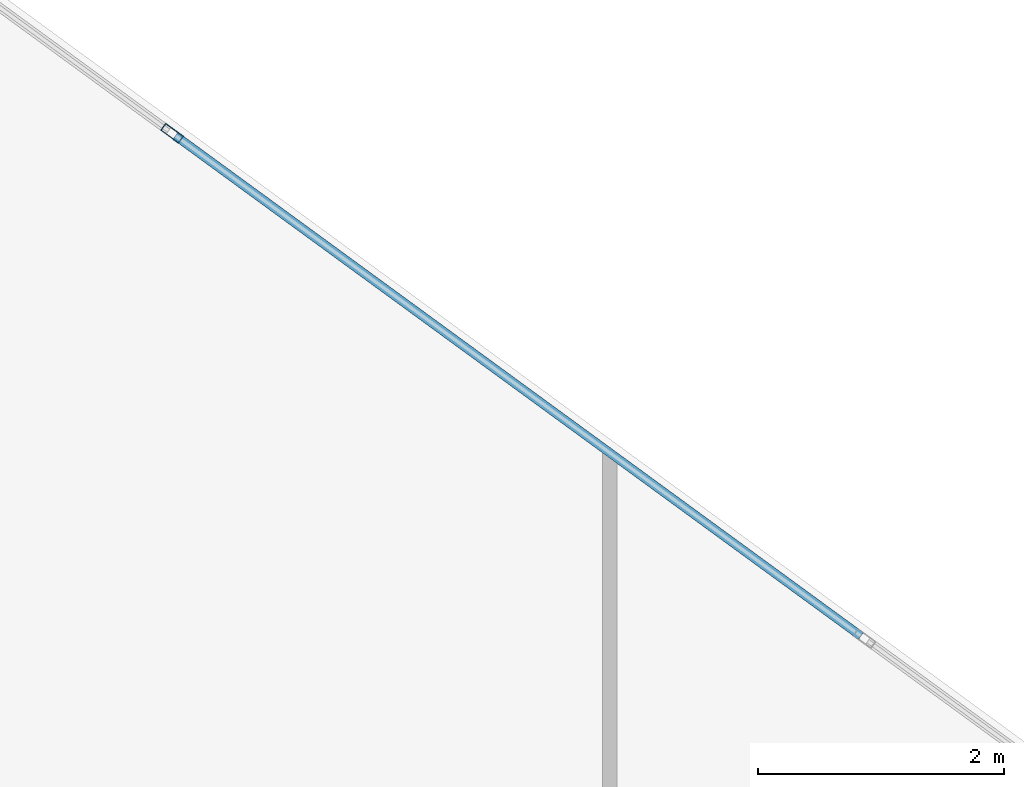
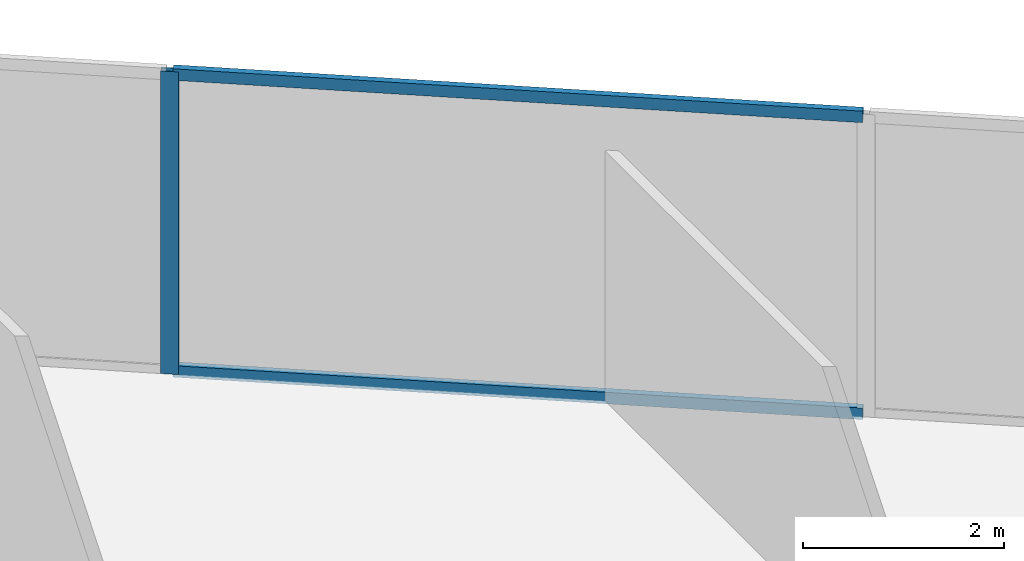
# One storey, part 19 of 25: 3 members, 1 element without a shape of its own.
"""IFC4 building model written with IfcOpenShell, lengths in metres."""

from ifc_helpers import new_model, si_unit, direction, frame, origin, origin_2d, place, context, subcontext, project, spatial, hollow_rectangle, extrude, source, transform, mapped, material, material_profile, profile_set, type_object, type_shapes, element, aggregate, save


model = new_model("IFC4")

# Units and contexts
model_context = context("Model", 3, precision=1e-05, world=origin(), true_north=direction((0.0, 1.0)))
body_context = subcontext(model_context, "Body", "Model", "MODEL_VIEW")
ifc_project = project(units=[si_unit("LENGTHUNIT", "METRE"), si_unit("AREAUNIT", "SQUARE_METRE"), si_unit("VOLUMEUNIT", "CUBIC_METRE"), si_unit("PLANEANGLEUNIT", "RADIAN"), si_unit("MASSUNIT", "GRAM", prefix="KILO")], contexts=[model_context])

# Site, building, storey
site_placement = place(None, origin())
site = spatial("IfcSite", under=ifc_project, at=site_placement, CompositionType="ELEMENT")
building_placement = place(site_placement, origin())
building = spatial("IfcBuilding", under=site, at=building_placement, Name="Krantzveldt Concourse Tower", CompositionType="ELEMENT")
storey_placement = place(building_placement, frame((0.0, 0.0, 193.60009765625)))
storey = spatial("IfcBuildingStorey", under=building, at=storey_placement, Name="L47", CompositionType="ELEMENT", Elevation=193.60009765625)

# Curtain wall, members
ifc_material = material(Name="Anodised aluminium 6063-T6", Category="aluminium")
curtain_wall_type = type_object("IfcCurtainWallType", Name="CW3", PredefinedType="USERDEFINED", material=ifc_material)
curtain_wall_placement = place(storey_placement, origin())
curtain_wall = element("IfcCurtainWall", 1, at=curtain_wall_placement, inside=storey, type_object=curtain_wall_type, Name="CW-L47-F10", ObjectType="UNITISED CURTAIN WALL", PredefinedType="USERDEFINED")
ifc_material_profile_1 = material_profile(ifc_material, hollow_rectangle(XDim=0.070068359375, YDim=0.179931640625, WallThickness=0.0048828125, at=origin_2d()), Name="Anodised aluminium 6063-T6", Category="aluminium")
ifc_profile_set_1 = profile_set([ifc_material_profile_1], Name="Anodised aluminium 6063-T6 - ALU-MULL 180x70x5")
member_type_1 = type_object("IfcMemberType", Name="CW-MUL-180", PredefinedType="MULLION", material=ifc_profile_set_1)
shared_shape_1 = source(origin(), body_context, "Body", "SweptSolid", [
    extrude(hollow_rectangle(XDim=0.070068359375, YDim=0.179931640625, WallThickness=0.0048828125, at=origin_2d()), origin(), (0.0, 0.0, 1.0), 3.669921875),
])
type_shapes(member_type_1, [shared_shape_1])
member_1_placement = place(storey_placement, frame((40.42529296875, 50.471435546875, 0.0), z_axis=(0.0, 0.0, 1.0), x_axis=(-0.589548833895, -0.807732735781, 0.0)))
member_1 = element("IfcMember", 2, at=member_1_placement, type_object=member_type_1, Name="CW-Z34 mullion 5", PredefinedType="MULLION", context=body_context, shape_type="MappedRepresentation", body=[
    mapped(shared_shape_1, transform((0.0, 0.0, 0.0), x_axis=(1.0, 0.0, 0.0), y_axis=(0.0, 1.0, 0.0), z_axis=(0.0, 0.0, 1.0), scale=1.0)),
])
ifc_material_profile_2 = material_profile(ifc_material, hollow_rectangle(XDim=0.070068359375, YDim=0.139892578125, WallThickness=0.0048828125, at=origin_2d()), Name="Anodised aluminium 6063-T6", Category="aluminium")
ifc_profile_set_2 = profile_set([ifc_material_profile_2], Name="Anodised aluminium 6063-T6 - ALU-TRAN 140x70x5")
member_type_2 = type_object("IfcMemberType", Name="CW-TRN-150", PredefinedType="USERDEFINED", material=ifc_profile_set_2)
shared_shape_2 = source(origin(), body_context, "Body", "SweptSolid", [
    extrude(hollow_rectangle(XDim=0.070068359375, YDim=0.139892578125, WallThickness=0.0048828125, at=origin_2d()), origin(), (0.0, 0.0, 1.0), 6.889892578125),
])
type_shapes(member_type_2, [shared_shape_2])
member_2_placement = place(storey_placement, frame((46.018798828125, 46.388916015625, 0.034912109375), z_axis=(-0.807726644352, 0.589557179589, 0.0), x_axis=(-0.589557179589, -0.807726644352, 0.0)))
member_2 = element("IfcMember", 3, at=member_2_placement, type_object=member_type_2, Name="CW-Z34 transom 4.1", ObjectType="TRANSOM", PredefinedType="USERDEFINED", context=body_context, shape_type="MappedRepresentation", body=[
    mapped(shared_shape_2, transform((0.0, 0.0, 0.0), x_axis=(1.0, 0.0, 0.0), y_axis=(0.0, 1.0, 0.0), z_axis=(0.0, 0.0, 1.0), scale=1.0)),
])
member_3_placement = place(storey_placement, frame((46.018798828125, 46.388916015625, 3.635009765625), z_axis=(-0.807726644352, 0.589557179589, 0.0), x_axis=(-0.589557179589, -0.807726644352, 0.0)))
member_3 = element("IfcMember", 4, at=member_3_placement, type_object=member_type_2, Name="CW-Z34 transom 4.2", ObjectType="TRANSOM", PredefinedType="USERDEFINED", context=body_context, shape_type="MappedRepresentation", body=[
    mapped(shared_shape_2, transform((0.0, 0.0, 0.0), x_axis=(1.0, 0.0, 0.0), y_axis=(0.0, 1.0, 0.0), z_axis=(0.0, 0.0, 1.0), scale=1.0)),
])
aggregate(curtain_wall, [member_1, member_2, member_3])

save(model, "model.ifc")
